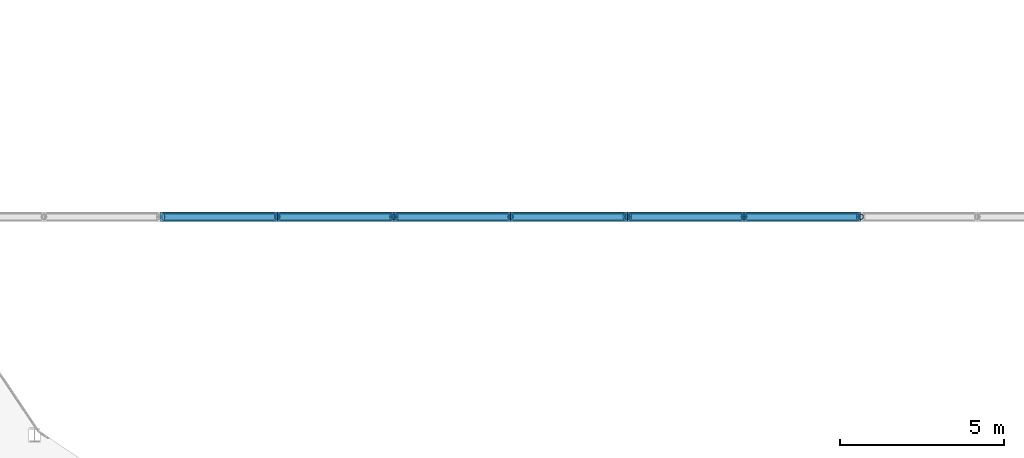
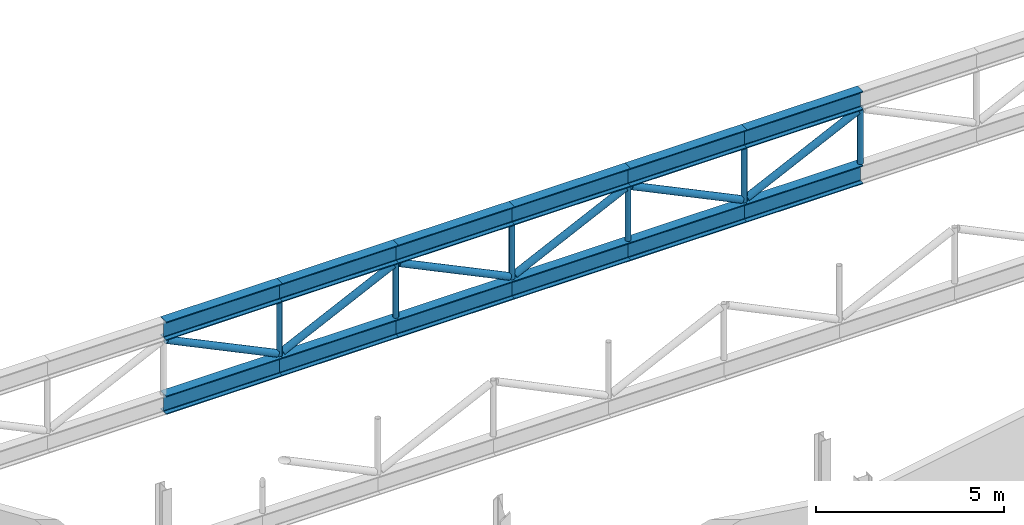
# One storey, part 41 of 143: 24 members.
"""IFC4 building model written with IfcOpenShell, lengths in metres."""

from ifc_helpers import new_model, si_unit, direction, frame, origin, origin_2d, place, context, subcontext, project, spatial, hollow_circle, i_section, extrude, material, material_profile, profile_set, type_object, element, save


model = new_model("IFC4")

# Units and contexts
model_context = context("Model", 3, precision=1e-05, world=origin(), true_north=direction((0.0, 1.0)))
body_context = subcontext(model_context, "Body", "Model", "MODEL_VIEW")
ifc_project = project(units=[si_unit("LENGTHUNIT", "METRE"), si_unit("AREAUNIT", "SQUARE_METRE"), si_unit("VOLUMEUNIT", "CUBIC_METRE"), si_unit("PLANEANGLEUNIT", "RADIAN"), si_unit("MASSUNIT", "GRAM", prefix="KILO")], contexts=[model_context])

# Site, building, storey
site_placement = place(None, origin())
site = spatial("IfcSite", under=ifc_project, at=site_placement, CompositionType="ELEMENT")
building_placement = place(site_placement, origin())
building = spatial("IfcBuilding", under=site, at=building_placement, Name="Kupolbacken Congress Centre", CompositionType="ELEMENT")
storey_placement = place(building_placement, frame((0.0, 0.0, 7.199951171875)))
storey = spatial("IfcBuildingStorey", under=building, at=storey_placement, Name="L02", CompositionType="ELEMENT", Elevation=7.199951171875)

# Members
ifc_material_1 = material(Name="Steel S355", Category="steel")
ifc_material_profile_1 = material_profile(ifc_material_1, i_section(OverallWidth=0.300048828125, OverallDepth=0.60009765625, WebThickness=0.015380859375, FlangeThickness=0.030029296875, FilletRadius=0.027099609375, at=origin_2d()), Name="HEB 600")
ifc_profile_set_1 = profile_set([ifc_material_profile_1], Name="Steel S355")
member_type_1 = type_object("IfcMemberType", Name="M02 transfer truss chord HEB 600", PredefinedType="CHORD", material=ifc_profile_set_1)
for number, where, z_axis, x_axis, name in (
    (1, (30.739013671875, 76.75634765625, 0.916259765625), (1.0, 0.0, 0.0), (0.0, 1.0, 0.0), "PD/L02/balc/trussF/BC04"),
    (2, (30.739013671875, 76.75634765625, 3.31640625), (1.0, 0.0, 0.0), (0.0, 1.0, 0.0), "PD/L02/balc/trussF/TC04"),
    (3, (34.29931640625, 76.75634765625, 0.916259765625), (1.0, 0.0, 0.0), (0.0, 1.0, 0.0), "PD/L02/balc/trussF/BC05"),
    (4, (34.29931640625, 76.75634765625, 3.31640625), (1.0, 0.0, 0.0), (0.0, 1.0, 0.0), "PD/L02/balc/trussF/TC05"),
    (5, (37.859619140625, 76.75634765625, 0.916259765625), (1.0, 0.0, 0.0), (0.0, 1.0, 0.0), "PD/L02/balc/trussF/BC06"),
    (6, (37.859619140625, 76.75634765625, 3.31640625), (1.0, 0.0, 0.0), (0.0, 1.0, 0.0), "PD/L02/balc/trussF/TC06"),
    (7, (41.419921875, 76.75634765625, 0.916259765625), (1.0, 0.0, 0.0), (0.0, 1.0, 0.0), "PD/L02/balc/trussF/BC07"),
    (8, (41.419921875, 76.75634765625, 3.31640625), (1.0, 0.0, 0.0), (0.0, 1.0, 0.0), "PD/L02/balc/trussF/TC07"),
    (9, (44.980224609375, 76.75634765625, 0.916259765625), (1.0, 0.0, 0.0), (0.0, 1.0, 0.0), "PD/L02/balc/trussF/BC08"),
    (10, (44.980224609375, 76.75634765625, 3.31640625), (1.0, 0.0, 0.0), (0.0, 1.0, 0.0), "PD/L02/balc/trussF/TC08"),
):
    element("IfcMember", number, at=place(storey_placement, frame(where, z_axis=z_axis, x_axis=x_axis)), inside=storey, type_object=member_type_1, Name=name, PredefinedType="CHORD", context=body_context, shape_type="SweptSolid", body=[
        extrude(i_section(OverallWidth=0.300048828125, OverallDepth=0.60009765625, WebThickness=0.015380859375, FlangeThickness=0.030029296875, FilletRadius=0.027099609375, at=origin_2d()), origin(), (0.0, 0.0, 1.0), 3.560302734375),
    ])
for number, where, z_axis, x_axis, name in (
    (11, (48.54052734375, 76.75634765625, 0.916259765625), (1.0, 0.0, 0.0), (0.0, 1.0, 0.0), "PD/L02/balc/trussF/BC09"),
    (12, (48.54052734375, 76.75634765625, 3.31640625), (1.0, 0.0, 0.0), (0.0, 1.0, 0.0), "PD/L02/balc/trussF/TC09"),
):
    element("IfcMember", number, at=place(storey_placement, frame(where, z_axis=z_axis, x_axis=x_axis)), inside=storey, type_object=member_type_1, Name=name, PredefinedType="CHORD", context=body_context, shape_type="SweptSolid", body=[
        extrude(i_section(OverallWidth=0.300048828125, OverallDepth=0.60009765625, WebThickness=0.015380859375, FlangeThickness=0.030029296875, FilletRadius=0.027099609375, at=origin_2d()), origin(), (0.0, 0.0, 1.0), 3.56005859375),
    ])
ifc_material_2 = material(Name="Steel S355", Category="steel")
ifc_material_profile_2 = material_profile(ifc_material_2, hollow_circle(Radius=0.109619140625, WallThickness=0.010009765625, at=origin_2d()), Name="CHS 219.1 x 10")
ifc_profile_set_2 = profile_set([ifc_material_profile_2], Name="Steel S355")
member_type_2 = type_object("IfcMemberType", Name="M05 transfer truss web CHS 219.1 x 10", PredefinedType="BRACE", material=ifc_profile_set_2)
for number, where, z_axis, x_axis, name in (
    (13, (30.8232421875, 76.75634765625, 2.9296875), (0.901691111506, 0.0, -0.432380780598), (0.0, 1.0, 0.0), "PD/L02/balc/trussF/D04"),
    (14, (34.383544921875, 76.75634765625, 1.30322265625), (0.901691111506, 0.0, 0.432380780598), (0.0, 1.0, 0.0), "PD/L02/balc/trussF/D05"),
    (15, (37.94384765625, 76.75634765625, 2.9296875), (0.901691111506, 0.0, -0.432380780598), (0.0, 1.0, 0.0), "PD/L02/balc/trussF/D06"),
):
    element("IfcMember", number, at=place(storey_placement, frame(where, z_axis=z_axis, x_axis=x_axis)), inside=storey, type_object=member_type_2, Name=name, PredefinedType="BRACE", context=body_context, shape_type="SweptSolid", body=[
        extrude(hollow_circle(Radius=0.109619140625, WallThickness=0.010009765625, at=origin_2d()), origin(), (0.0, 0.0, 1.0), 3.76171875),
    ])
for number, where, z_axis, x_axis, name in (
    (16, (41.50390625, 76.75634765625, 1.30322265625), (0.901703244176, 0.0, 0.432355478099), (0.0, 1.0, 0.0), "PD/L02/balc/trussF/D07"),
    (17, (45.064208984375, 76.75634765625, 2.9296875), (0.901703244176, 0.0, -0.432355478099), (0.0, 1.0, 0.0), "PD/L02/balc/trussF/D08"),
    (18, (48.62451171875, 76.75634765625, 1.30322265625), (0.901703244176, 0.0, 0.432355478099), (0.0, 1.0, 0.0), "PD/L02/balc/trussF/D09"),
):
    element("IfcMember", number, at=place(storey_placement, frame(where, z_axis=z_axis, x_axis=x_axis)), inside=storey, type_object=member_type_2, Name=name, PredefinedType="BRACE", context=body_context, shape_type="SweptSolid", body=[
        extrude(hollow_circle(Radius=0.109619140625, WallThickness=0.010009765625, at=origin_2d()), origin(), (0.0, 0.0, 1.0), 3.761962890625),
    ])
ifc_material_3 = material(Name="Steel S355", Category="steel")
ifc_material_profile_3 = material_profile(ifc_material_3, hollow_circle(Radius=0.084228515625, WallThickness=0.008056640625, at=origin_2d()), Name="CHS 168.3 x 8")
ifc_profile_set_3 = profile_set([ifc_material_profile_3], Name="Steel S355")
member_type_3 = type_object("IfcMemberType", Name="M20 transfer truss post CHS 168.3 x 8", PredefinedType="STRUT", material=ifc_profile_set_3)
for number, where, z_axis, x_axis, name in (
    (19, (34.29931640625, 76.75634765625, 1.206298828125), (0.0, 0.0, 1.0), (1.0, 0.0, 0.0), "PD/L02/balc/trussF/P04"),
    (20, (37.859619140625, 76.75634765625, 1.206298828125), (0.0, 0.0, 1.0), (1.0, 0.0, 0.0), "PD/L02/balc/trussF/P05"),
    (21, (41.419921875, 76.75634765625, 1.206298828125), (0.0, 0.0, 1.0), (1.0, 0.0, 0.0), "PD/L02/balc/trussF/P06"),
    (22, (44.980224609375, 76.75634765625, 1.206298828125), (0.0, 0.0, 1.0), (1.0, 0.0, 0.0), "PD/L02/balc/trussF/P07"),
    (23, (48.54052734375, 76.75634765625, 1.206298828125), (0.0, 0.0, 1.0), (1.0, 0.0, 0.0), "PD/L02/balc/trussF/P08"),
    (24, (52.1005859375, 76.75634765625, 1.206298828125), (0.0, 0.0, 1.0), (1.0, 0.0, 0.0), "PD/L02/balc/trussF/P09"),
):
    element("IfcMember", number, at=place(storey_placement, frame(where, z_axis=z_axis, x_axis=x_axis)), inside=storey, type_object=member_type_3, Name=name, PredefinedType="STRUT", context=body_context, shape_type="SweptSolid", body=[
        extrude(hollow_circle(Radius=0.084228515625, WallThickness=0.008056640625, at=origin_2d()), origin(), (0.0, 0.0, 1.0), 1.820068359375),
    ])

save(model, "model.ifc")
